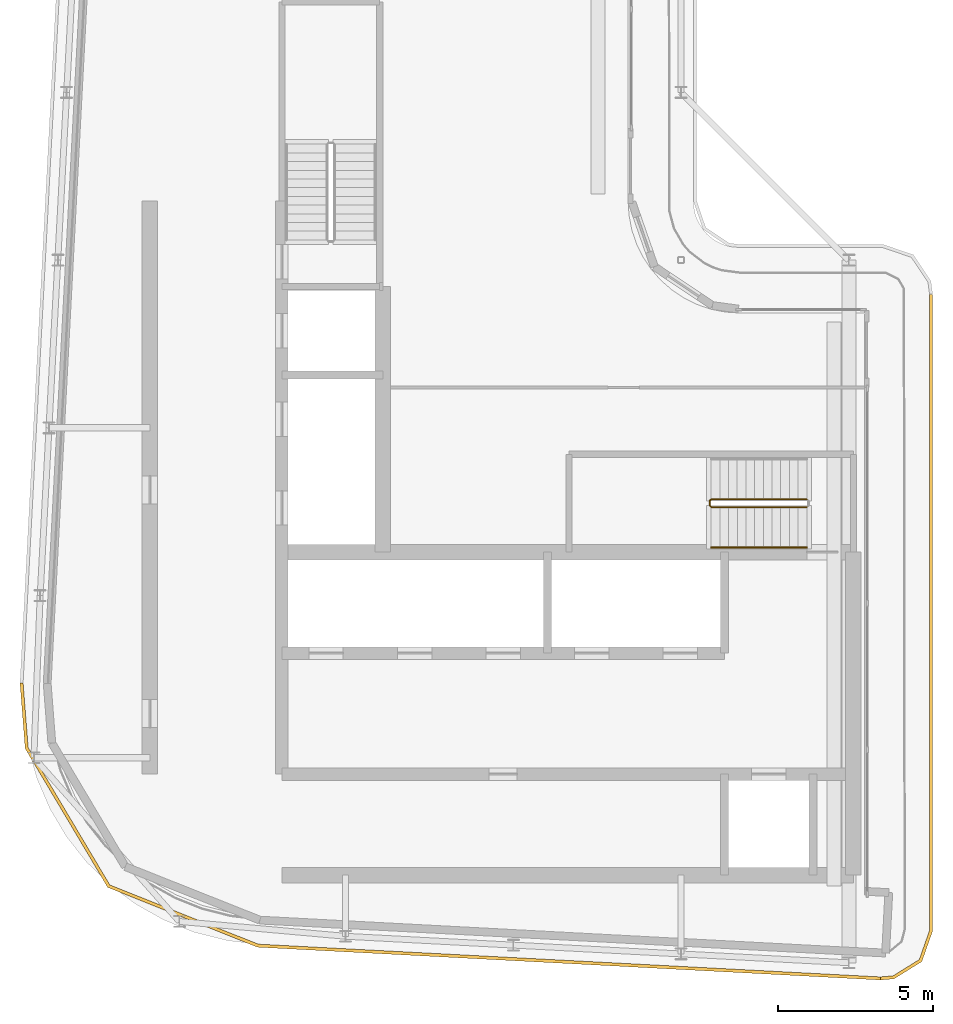
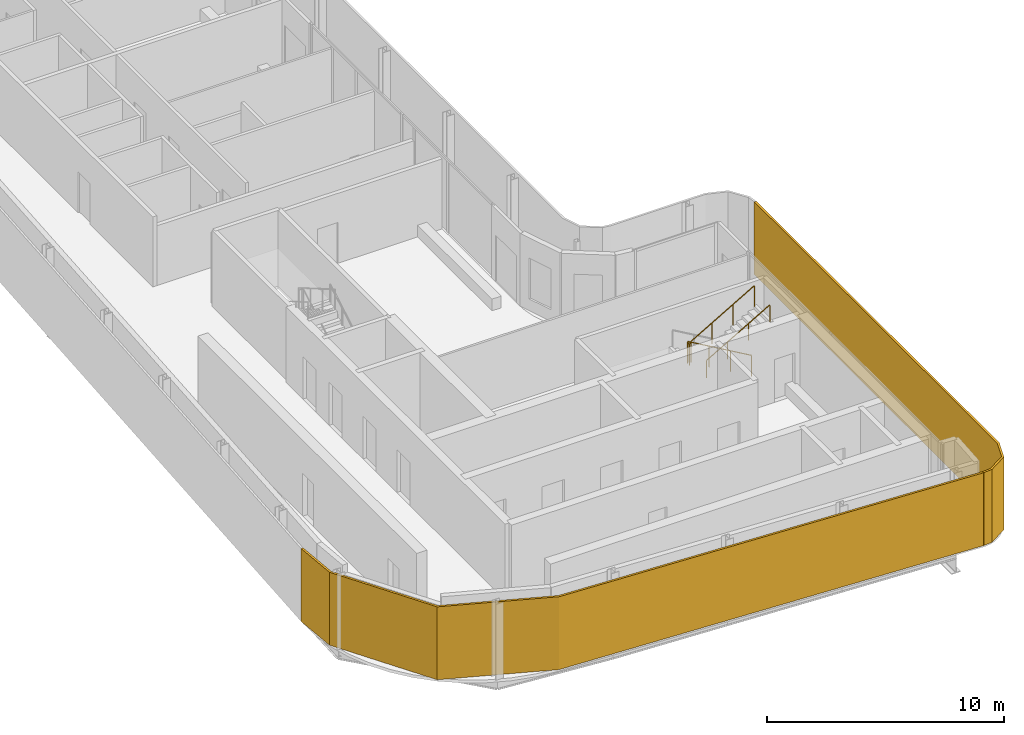
# One storey, part 13 of 18: 2 railings, 2 shading devices.
"""IFC4 building model written with IfcOpenShell, lengths in metres."""

from ifc_helpers import new_model, si_unit, direction, frame, origin, origin_2d, place, context, subcontext, project, spatial, polyline, circle, outline, extrude, material, layer, layer_set, type_object, element, save


model = new_model("IFC4")

# Units and contexts
model_context = context("Model", 3, precision=1e-05, world=origin(), true_north=direction((0.0, 1.0)))
body_context = subcontext(model_context, "Body", "Model", "MODEL_VIEW")
ifc_project = project(units=[si_unit("LENGTHUNIT", "METRE"), si_unit("AREAUNIT", "SQUARE_METRE"), si_unit("VOLUMEUNIT", "CUBIC_METRE"), si_unit("PLANEANGLEUNIT", "RADIAN"), si_unit("MASSUNIT", "GRAM", prefix="KILO")], contexts=[model_context])

# Site, building, storey
site_placement = place(None, origin())
site = spatial("IfcSite", under=ifc_project, at=site_placement, CompositionType="ELEMENT")
building_placement = place(site_placement, origin())
building = spatial("IfcBuilding", under=site, at=building_placement, Name="Kheshtan School and Residences Tower", CompositionType="ELEMENT")
storey_placement = place(building_placement, frame((0.0, 0.0, 377.300048828125)))
storey = spatial("IfcBuildingStorey", under=building, at=storey_placement, Name="L89", CompositionType="ELEMENT", Elevation=377.300048828125)

# Shading devices
ifc_material_1 = material(Name="Terracotta baguette, extruded ceramic", Category="masonry")
ifc_layer_1 = layer(ifc_material_1, 0.10009765625)
ifc_layer_set_1 = layer_set([ifc_layer_1], Name="Ledge screen, terracotta baguettes")
shading_device_type_1 = type_object("IfcShadingDeviceType", Name="Ledge screen, terracotta baguettes", PredefinedType="USERDEFINED", material=ifc_layer_set_1)
shading_device_1_placement = place(storey_placement, origin())
element("IfcShadingDevice", 1, at=shading_device_1_placement, inside=storey, type_object=shading_device_type_1, Name="Screen L89 3", ObjectType="BAGUETTE", PredefinedType="USERDEFINED", context=body_context, shape_type="SweptSolid", body=[
    extrude(outline(polyline([(54.02099609375, 22.52490234375), (33.989013671875, 23.580078125), (29.2119140625, 25.486083984375), (26.583984375, 29.906982421875), (26.419921875, 31.989013671875), (26.320068359375, 31.98095703125), (26.486083984375, 29.8759765625), (29.14306640625, 25.406005859375), (33.967041015625, 23.48095703125), (54.01611328125, 22.425048828125), (54.02099609375, 22.52490234375)])), origin(), (0.0, 0.0, 1.0), 3.75),
])
ifc_material_2 = material(Name="Terracotta lattice, extruded ceramic", Category="masonry")
ifc_layer_2 = layer(ifc_material_2, 0.10009765625)
ifc_layer_set_2 = layer_set([ifc_layer_2], Name="Loggia screen, terracotta lattice")
shading_device_type_2 = type_object("IfcShadingDeviceType", Name="Loggia screen, terracotta lattice", PredefinedType="USERDEFINED", material=ifc_layer_set_2)
shading_device_2_placement = place(storey_placement, origin())
element("IfcShadingDevice", 2, at=shading_device_2_placement, inside=storey, type_object=shading_device_type_2, Name="Screen L89 2", ObjectType="SCREEN", PredefinedType="USERDEFINED", context=body_context, shape_type="SweptSolid", body=[
    extrude(outline(polyline([(55.60009765625, 44.5), (55.60009765625, 24.02294921875), (55.27001953125, 23.083984375), (54.424072265625, 22.55908203125), (54.02099609375, 22.52490234375), (54.029052734375, 22.425048828125), (54.4560546875, 22.4609375), (55.35302734375, 23.01806640625), (55.699951171875, 24.006103515625), (55.699951171875, 44.5), (55.60009765625, 44.5)])), origin(), (0.0, 0.0, 1.0), 3.75),
])

# Railings
ifc_material_3 = material(Name="Stainless steel balustrade", Category="steel")
railing_type_1 = type_object("IfcRailingType", Name="Stair guard 1100", PredefinedType="GUARDRAIL", material=ifc_material_3)
railing_1_placement = place(storey_placement, frame((51.64990234375, 37.89990234375, 0.162353515625)))
element("IfcRailing", 3, at=railing_1_placement, inside=storey, type_object=railing_type_1, Name="L89 ST1 stair guard 1", PredefinedType="GUARDRAIL", context=body_context, shape_type="SweptSolid", body=[
    extrude(circle(Radius=0.02392578125, at=origin_2d()), frame((0.0, 0.0, 1.076171875), z_axis=(-0.864873446163, 0.0, 0.501989962173), x_axis=(0.0, -1.0, 0.0)), (0.0, 0.0, 1.0), 3.56103515625),
    extrude(circle(Radius=0.02392578125, at=origin_2d()), frame((-3.079833984375, 0.0, 2.86376953125), z_axis=(-0.708833529934, -0.705375805398, 0.0), x_axis=(0.705375805398, -0.708833529934, 0.0)), (0.0, 0.0, 1.0), 0.070556640625),
    extrude(circle(Radius=0.02392578125, at=origin_2d()), frame((-3.1298828125, -0.0498046875, 2.86376953125), z_axis=(0.0, -1.0, 0.0), x_axis=(1.0, 0.0, 0.0)), (0.0, 0.0, 1.0), 0.150146484375),
    extrude(circle(Radius=0.02392578125, at=origin_2d()), frame((-3.1298828125, -0.199951171875, 2.86376953125), z_axis=(0.282227285176, -0.282227285176, 0.916894497205), x_axis=(0.707106781187, 0.707106781187, 0.0)), (0.0, 0.0, 1.0), 0.17724609375),
    extrude(circle(Radius=0.02392578125, at=origin_2d()), frame((-3.079833984375, -0.25, 3.0263671875), z_axis=(0.864903211148, 0.0, 0.501938676878), x_axis=(0.0, 1.0, 0.0)), (0.0, 0.0, 1.0), 3.560791015625),
    extrude(circle(Radius=0.02099609375, at=origin_2d()), origin(), (0.0, 0.0, 1.0), 1.052001953125),
    extrude(circle(Radius=0.02099609375, at=origin_2d()), frame((-1.026611328125, 0.0, 0.595947265625)), (0.0, 0.0, 1.0), 1.052001953125),
    extrude(circle(Radius=0.02099609375, at=origin_2d()), frame((-2.05322265625, 0.0, 1.191650390625)), (0.0, 0.0, 1.0), 1.052001953125),
    extrude(circle(Radius=0.02099609375, at=origin_2d()), frame((-3.079833984375, 0.0, 1.78759765625)), (0.0, 0.0, 1.0), 1.052001953125),
    extrude(circle(Radius=0.02099609375, at=origin_2d()), frame((-3.1298828125, -0.0498046875, 1.78759765625)), (0.0, 0.0, 1.0), 1.052001953125),
    extrude(circle(Radius=0.02099609375, at=origin_2d()), frame((-3.1298828125, -0.199951171875, 1.78759765625)), (0.0, 0.0, 1.0), 1.052001953125),
    extrude(circle(Radius=0.02099609375, at=origin_2d()), frame((-3.079833984375, -0.25, 1.9501953125)), (0.0, 0.0, 1.0), 1.052001953125),
    extrude(circle(Radius=0.02099609375, at=origin_2d()), frame((-2.05322265625, -0.25, 2.5458984375)), (0.0, 0.0, 1.0), 1.052001953125),
    extrude(circle(Radius=0.02099609375, at=origin_2d()), frame((-1.026611328125, -0.25, 3.141845703125)), (0.0, 0.0, 1.0), 1.052001953125),
    extrude(circle(Radius=0.02099609375, at=origin_2d()), frame((0.0, -0.25, 3.737548828125)), (0.0, 0.0, 1.0), 1.052001953125),
])
ifc_material_4 = material(Name="Stainless steel handrail", Category="steel")
railing_type_2 = type_object("IfcRailingType", Name="Stair handrail 900", PredefinedType="HANDRAIL", material=ifc_material_4)
railing_2_placement = place(storey_placement, frame((48.570068359375, 36.35009765625, 2.112548828125)))
element("IfcRailing", 4, at=railing_2_placement, inside=storey, type_object=railing_type_2, Name="L89 ST1 stair handrail 2", PredefinedType="HANDRAIL", context=body_context, shape_type="SweptSolid", body=[
    extrude(circle(Radius=0.02392578125, at=origin_2d()), frame((0.0, 0.0, 0.8759765625), z_axis=(0.864903211148, 0.0, 0.501938676878), x_axis=(0.0, 1.0, 0.0)), (0.0, 0.0, 1.0), 3.560791015625),
    extrude(circle(Radius=0.02099609375, at=origin_2d()), origin(), (0.0, 0.0, 1.0), 0.851806640625),
    extrude(circle(Radius=0.02099609375, at=origin_2d()), frame((1.026611328125, 0.0, 0.595703125)), (0.0, 0.0, 1.0), 0.851806640625),
    extrude(circle(Radius=0.02099609375, at=origin_2d()), frame((2.05322265625, 0.0, 1.191650390625)), (0.0, 0.0, 1.0), 0.851806640625),
    extrude(circle(Radius=0.02099609375, at=origin_2d()), frame((3.079833984375, 0.0, 1.787353515625)), (0.0, 0.0, 1.0), 0.851806640625),
])

save(model, "model.ifc")
